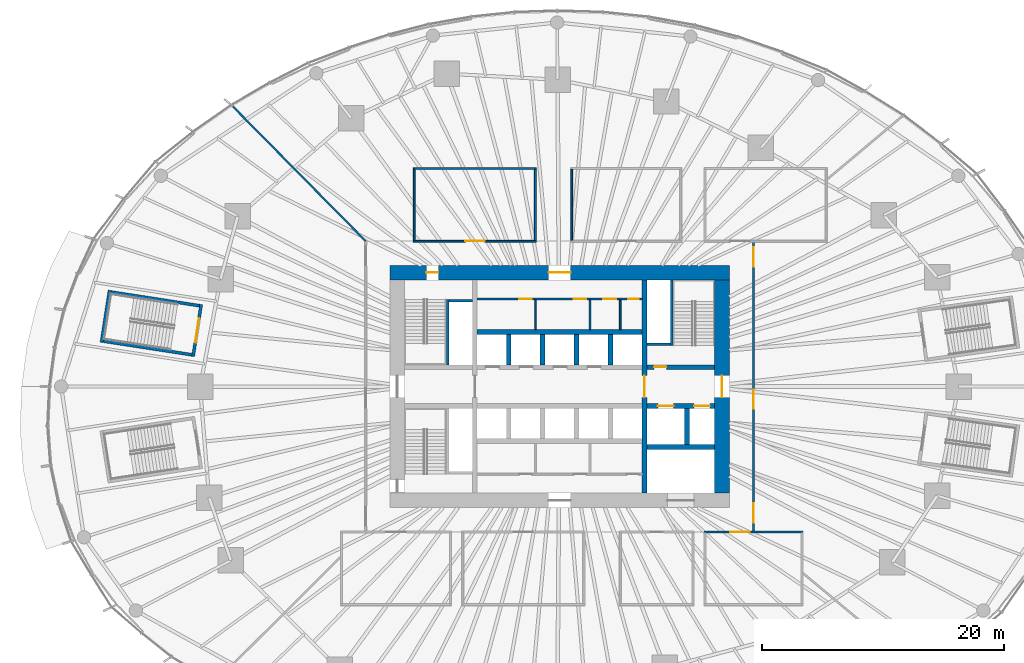
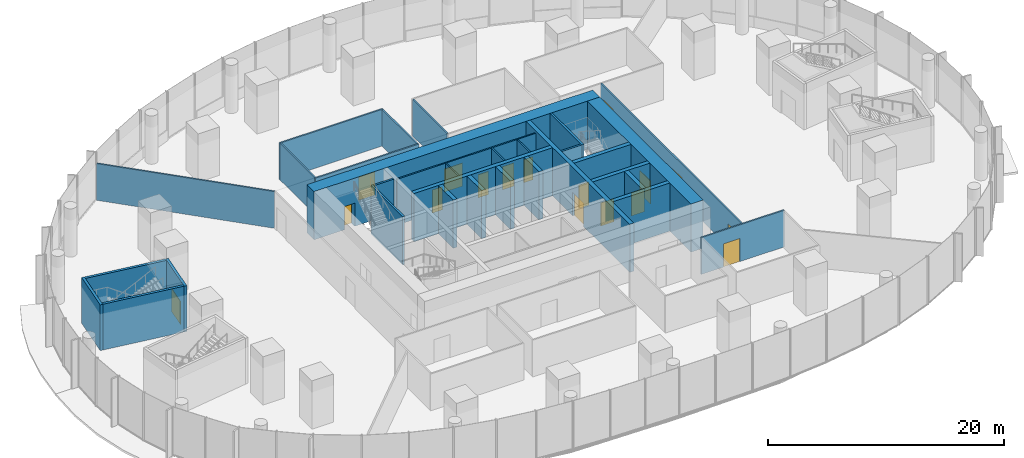
# One storey, part 13 of 28: 32 walls, 17 doors, 17 openings.
"""IFC4 building model written with IfcOpenShell, lengths in metres."""

import ifcopenshell
import ifcopenshell.guid

model = None  # the IFC model being written
_history = None  # IfcOwnerHistory: only IFC2X3 demands one
_inside = {}  # id of a spatial element -> (the spatial element, [elements in it])
_under = {}  # id of a project, library or spatial element -> (it, [spatial elements below it])
_declared = {}  # id of a project -> (the project, [libraries it declares])
_typed = {}  # id of a type object -> (the type object, [elements of that type])
_made_of = {}  # id of a material, layer set ... -> (it, [elements and type objects made of it])


def new_model(schema):
    """Start an empty IFC model of exactly this schema.

    Asked for "IFC4X3", IfcOpenShell would pick the latest addendum, in which some entities
    have other attributes; the version numbers below select the first issue.
    IFC2X3 requires an IfcOwnerHistory on every rooted entity: one is made here for all.
    """
    global model, _history
    if schema == "IFC4X3":
        model = ifcopenshell.file(schema_version=(4, 3, 0, 0))
    else:
        model = ifcopenshell.file(schema=schema)
    _inside.clear()
    _under.clear()
    _declared.clear()
    _typed.clear()
    _made_of.clear()
    _history = None
    if model.schema == "IFC2X3":
        org = make("IfcOrganization", Name="unknown")
        user = make(
            "IfcPersonAndOrganization",
            ThePerson=make("IfcPerson", FamilyName="unknown"),
            TheOrganization=org,
        )
        app = make(
            "IfcApplication",
            ApplicationDeveloper=org,
            Version="unknown",
            ApplicationFullName="unknown",
            ApplicationIdentifier="unknown",
        )
        _history = make(
            "IfcOwnerHistory",
            OwningUser=user,
            OwningApplication=app,
            ChangeAction="ADDED",
            CreationDate=0,
        )
    return model


def make(cls, **values):
    """One entity of the class cls with the attributes given. An attribute that is None is left unset."""
    return model.create_entity(
        cls, **{name: value for name, value in values.items() if value is not None}
    )


def rooted(cls, **values):
    """An entity with a GlobalId (a new one), such as an element, a storey or a relation."""
    return make(cls, GlobalId=ifcopenshell.guid.new(), OwnerHistory=_history, **values)


def si_unit(unit_type, name, prefix=None):
    """IfcSIUnit, for example si_unit("LENGTHUNIT", "METRE", prefix="MILLI")."""
    return make("IfcSIUnit", UnitType=unit_type, Prefix=prefix, Name=name)


def assignment(units):
    """IfcUnitAssignment: the units of a project."""
    return None if units is None else make("IfcUnitAssignment", Units=units)


def point(xyz):
    """IfcCartesianPoint."""
    return None if xyz is None else make("IfcCartesianPoint", Coordinates=xyz)


def direction(xyz):
    """IfcDirection."""
    return None if xyz is None else make("IfcDirection", DirectionRatios=xyz)


def frame(location, z_axis=None, x_axis=None):
    """IfcAxis2Placement3D, a coordinate frame: its origin and axes. An axis left out is left unset."""
    return make(
        "IfcAxis2Placement3D",
        Location=point(location),
        Axis=direction(z_axis),
        RefDirection=direction(x_axis),
    )


def frame_2d(location, x_axis=None):
    """IfcAxis2Placement2D, a coordinate frame in the plane: its origin and x axis."""
    return make(
        "IfcAxis2Placement2D", Location=point(location), RefDirection=direction(x_axis)
    )


def origin():
    """The frame at (0, 0, 0) with its axes left unset."""
    return frame((0.0, 0.0, 0.0))


def place(relative_to, where):
    """IfcLocalPlacement: puts the frame where relative to a parent placement (None: the world)."""
    return make(
        "IfcLocalPlacement", PlacementRelTo=relative_to, RelativePlacement=where
    )


def context(
    kind, dimensions, precision=None, world=None, true_north=None, identifier=None
):
    """IfcGeometricRepresentationContext, for example the 3D "Model" context."""
    return make(
        "IfcGeometricRepresentationContext",
        ContextIdentifier=identifier,
        ContextType=kind,
        CoordinateSpaceDimension=dimensions,
        Precision=precision,
        WorldCoordinateSystem=world,
        TrueNorth=true_north,
    )


def subcontext(parent, identifier, kind, view, scale=None):
    """IfcGeometricRepresentationSubContext, for example "Body" below "Model"."""
    return make(
        "IfcGeometricRepresentationSubContext",
        ContextIdentifier=identifier,
        ContextType=kind,
        ParentContext=parent,
        TargetScale=scale,
        TargetView=view,
    )


def project(units=None, contexts=None):
    """IfcProject with its units and contexts."""
    return rooted(
        "IfcProject",
        Name="project",
        RepresentationContexts=contexts,
        UnitsInContext=assignment(units),
    )


def spatial(cls, under=None, at=None, **own):
    """A site, building, storey or space (cls), placed at a placement, below another one or the project."""
    s = rooted(cls, ObjectPlacement=at, **own)
    if under is not None:
        _under.setdefault(under.id(), (under, []))[1].append(s)
    return s


def profile(cls, at=None, kind="AREA", **sizes):
    """A parametric profile (cls). Its sizes go by their IFC names, for example OverallWidth=200.0."""
    return make(cls, ProfileType=kind, Position=at, **sizes)


def rectangle(**sizes):
    """IfcRectangleProfileDef."""
    return profile("IfcRectangleProfileDef", **sizes)


def extrude(swept, where, along, depth):
    """IfcExtrudedAreaSolid: the profile swept, set in the frame where, extruded along a direction by depth."""
    return make(
        "IfcExtrudedAreaSolid",
        SweptArea=swept,
        Position=where,
        ExtrudedDirection=direction(along),
        Depth=depth,
    )


def shape(context_of_items, identifier, shape_type, items):
    """IfcShapeRepresentation: the items that make up one representation, for example the "Body"."""
    return make(
        "IfcShapeRepresentation",
        ContextOfItems=context_of_items,
        RepresentationIdentifier=identifier,
        RepresentationType=shape_type,
        Items=items,
    )


def material(Name=None, Category=None):
    """IfcMaterial."""
    return make("IfcMaterial", Name=Name, Category=Category)


def layer(
    of_material, thickness, ventilated=None, Name=None, Category=None, Priority=None
):
    """IfcMaterialLayer: one layer of a wall or slab, of a material (None: an air gap)."""
    return make(
        "IfcMaterialLayer",
        Material=of_material,
        LayerThickness=thickness,
        IsVentilated=ventilated,
        Name=Name,
        Category=Category,
        Priority=Priority,
    )


def layer_set(layers, Name=None):
    """IfcMaterialLayerSet."""
    return make("IfcMaterialLayerSet", MaterialLayers=layers, LayerSetName=Name)


def made_of(thing, what):
    """Note that an element or type object is made of a material, layer set ...; save() writes the relation."""
    if what is not None:
        _made_of.setdefault(what.id(), (what, []))[1].append(thing)
    return thing


def type_object(cls, material=None, **own):
    """A type object (cls), such as IfcWallType, which elements share."""
    return made_of(rooted(cls, **own), material)


def element(
    cls,
    number,
    at=None,
    inside=None,
    cuts=None,
    type_object=None,
    material=None,
    context=None,
    identifier="Body",
    shape_type=None,
    held_by="IfcProductDefinitionShape",
    body=None,
    shapes=None,
    **own,
):
    """One element of the class cls, such as IfcWall. Its Tag is "e" and its number.

    at: its placement. inside: the storey or other place that contains it. cuts: it is an
    opening in that element (IfcRelVoidsElement). A single representation is given by context,
    identifier, shape_type and body (its items); several are given by shapes. held_by: the class
    of the entity that holds the representations. save() writes the other relations.
    """
    e = rooted(cls, Tag="e%d" % number, ObjectPlacement=at, **own)
    if body is not None:
        shapes = [shape(context, identifier, shape_type, body)]
    if shapes is not None:
        e.Representation = make(held_by, Representations=shapes)
    if inside is not None:
        _inside.setdefault(inside.id(), (inside, []))[1].append(e)
    if cuts is not None:
        rooted(
            "IfcRelVoidsElement", RelatingBuildingElement=cuts, RelatedOpeningElement=e
        )
    if type_object is not None:
        _typed.setdefault(type_object.id(), (type_object, []))[1].append(e)
    return made_of(e, material)


def fill(opening, filler):
    """IfcRelFillsElement: the door or window that sits in an opening."""
    return rooted(
        "IfcRelFillsElement",
        RelatingOpeningElement=opening,
        RelatedBuildingElement=filler,
    )


def aggregate(whole, parts):
    """IfcRelAggregates: a whole, such as a stair, and the parts it consists of."""
    return rooted("IfcRelAggregates", RelatingObject=whole, RelatedObjects=parts)


def save(model, path):
    """Write the relations noted so far, then the file.

    IfcRelAggregates (storeys below a building ...), IfcRelContainedInSpatialStructure (elements
    in a storey), IfcRelDefinesByType, IfcRelAssociatesMaterial and IfcRelDeclares: one each for
    every whole, place, type object, material and project.
    """
    for whole, parts in _under.values():
        aggregate(whole, parts)
    for where, things in _inside.values():
        rooted(
            "IfcRelContainedInSpatialStructure",
            RelatedElements=things,
            RelatingStructure=where,
        )
    for kind, things in _typed.values():
        rooted("IfcRelDefinesByType", RelatedObjects=things, RelatingType=kind)
    for what, things in _made_of.values():
        rooted("IfcRelAssociatesMaterial", RelatedObjects=things, RelatingMaterial=what)
    for by, libraries in _declared.values():
        rooted("IfcRelDeclares", RelatingContext=by, RelatedDefinitions=libraries)
    model.write(path)


model = new_model("IFC4")

# Units and contexts
model_context = context("Model", 3, precision=1e-05, world=origin(), true_north=direction((0.0, 1.0)))
body_context = subcontext(model_context, "Body", "Model", "MODEL_VIEW")
ifc_project = project(units=[si_unit("LENGTHUNIT", "METRE"), si_unit("AREAUNIT", "SQUARE_METRE"), si_unit("VOLUMEUNIT", "CUBIC_METRE"), si_unit("PLANEANGLEUNIT", "RADIAN"), si_unit("MASSUNIT", "GRAM", prefix="KILO")], contexts=[model_context])

# Site, building, storey
site_placement = place(None, origin())
site = spatial("IfcSite", under=ifc_project, at=site_placement, CompositionType="ELEMENT")
building_placement = place(site_placement, origin())
building = spatial("IfcBuilding", under=site, at=building_placement, Name="Ghaith Harvest Tower", CompositionType="ELEMENT")
storey_placement = place(building_placement, frame((0.0, 0.0, 5.0)))
storey = spatial("IfcBuildingStorey", under=building, at=storey_placement, Name="L01", CompositionType="ELEMENT", Elevation=5.0)

# Wall, openings, doors
ifc_material_1 = material(Name="Concrete blockwork, fair-faced", Category="masonry")
ifc_layer_1 = layer(ifc_material_1, 0.139892578125)
ifc_layer_set_1 = layer_set([ifc_layer_1], Name="CORE PARTITION 140")
wall_type_1 = type_object("IfcWallType", Name="CORE PARTITION 140", PredefinedType="PARTITIONING", material=ifc_layer_set_1)
wall_1_placement = place(storey_placement, frame((-6.800048828125, 7.22998046875, 0.0), z_axis=(0.0, 0.0, 1.0), x_axis=(1.0, 0.0, 0.0)))
wall_1 = element("IfcWall", 1, at=wall_1_placement, inside=storey, type_object=wall_type_1, Name="Core partition L01", PredefinedType="PARTITIONING", context=body_context, shape_type="SweptSolid", body=[
    extrude(rectangle(XDim=13.60009765625, YDim=0.139892578125, at=frame_2d((6.800048828125, 0.0))), origin(), (0.0, 0.0, 1.0), 4.75),
])
opening_1_placement = place(wall_1_placement, frame((3.47998046875, 0.0, 0.0)))
opening_1 = element("IfcOpeningElement", 2, at=opening_1_placement, cuts=wall_1, Name="Opening 01-008", PredefinedType="OPENING", context=body_context, shape_type="SweptSolid", body=[
    extrude(rectangle(XDim=1.0, YDim=2.39990234375, at=frame_2d((0.5, 1.199951171875))), frame((0.0, 0.080078125, 0.0), z_axis=(0.0, -1.0, 0.0), x_axis=(1.0, 0.0, 0.0)), (0.0, 0.0, 1.0), 0.159912109375),
])
opening_2_placement = place(wall_1_placement, frame((7.97998046875, 0.0, 0.0)))
opening_2 = element("IfcOpeningElement", 3, at=opening_2_placement, cuts=wall_1, Name="Opening 01-009", PredefinedType="OPENING", context=body_context, shape_type="SweptSolid", body=[
    extrude(rectangle(XDim=1.0, YDim=2.39990234375, at=frame_2d((0.5, 1.199951171875))), frame((0.0, 0.080078125, 0.0), z_axis=(0.0, -1.0, 0.0), x_axis=(1.0, 0.0, 0.0)), (0.0, 0.0, 1.0), 0.159912109375),
])
opening_3_placement = place(wall_1_placement, frame((10.3798828125, 0.0, 0.0)))
opening_3 = element("IfcOpeningElement", 4, at=opening_3_placement, cuts=wall_1, Name="Opening 01-010", PredefinedType="OPENING", context=body_context, shape_type="SweptSolid", body=[
    extrude(rectangle(XDim=1.10009765625, YDim=2.39990234375, at=frame_2d((0.550048828125, 1.199951171875))), frame((0.0, 0.080078125, 0.0), z_axis=(0.0, -1.0, 0.0), x_axis=(1.0, 0.0, 0.0)), (0.0, 0.0, 1.0), 0.159912109375),
])
opening_4_placement = place(wall_1_placement, frame((12.449951171875, 0.0, 0.0)))
opening_4 = element("IfcOpeningElement", 5, at=opening_4_placement, cuts=wall_1, Name="Opening 01-011", PredefinedType="OPENING", context=body_context, shape_type="SweptSolid", body=[
    extrude(rectangle(XDim=0.89990234375, YDim=2.39990234375, at=frame_2d((0.449951171875, 1.199951171875))), frame((0.0, 0.080078125, 0.0), z_axis=(0.0, -1.0, 0.0), x_axis=(1.0, 0.0, 0.0)), (0.0, 0.0, 1.0), 0.159912109375),
])
ifc_material_2 = material(Name="Steel fire door", Category="steel")
door_type_1 = type_object("IfcDoorType", Name="D3 FD90 1000x2400", OperationType="SINGLE_SWING_LEFT", PredefinedType="DOOR", material=ifc_material_2)
door_1_placement = place(opening_1_placement, origin())
door_1 = element("IfcDoor", 6, at=door_1_placement, inside=storey, type_object=door_type_1, Name="Male WC door", OperationType="SINGLE_SWING_LEFT", OverallHeight=2.39990234375, OverallWidth=1.0, PredefinedType="DOOR", context=body_context, shape_type="SweptSolid", body=[
    extrude(rectangle(XDim=1.0, YDim=2.39990234375, at=frame_2d((0.5, 1.199951171875))), frame((0.0, 0.02490234375, 0.0), z_axis=(0.0, -1.0, 0.0), x_axis=(1.0, 0.0, 0.0)), (0.0, 0.0, 1.0), 0.050048828125),
])
fill(opening_1, door_1)
door_2_placement = place(opening_2_placement, origin())
door_2 = element("IfcDoor", 7, at=door_2_placement, inside=storey, type_object=door_type_1, Name="Female WC door", OperationType="SINGLE_SWING_RIGHT", OverallHeight=2.39990234375, OverallWidth=1.0, PredefinedType="DOOR", context=body_context, shape_type="SweptSolid", body=[
    extrude(rectangle(XDim=1.0, YDim=2.39990234375, at=frame_2d((0.5, 1.199951171875))), frame((0.0, 0.02490234375, 0.0), z_axis=(0.0, -1.0, 0.0), x_axis=(1.0, 0.0, 0.0)), (0.0, 0.0, 1.0), 0.050048828125),
])
fill(opening_2, door_2)
ifc_material_3 = material(Name="Steel fire door", Category="steel")
door_type_2 = type_object("IfcDoorType", Name="D5 FD90 900x2400", OperationType="SINGLE_SWING_LEFT", PredefinedType="DOOR", material=ifc_material_3)
door_3_placement = place(opening_4_placement, origin())
door_3 = element("IfcDoor", 8, at=door_3_placement, inside=storey, type_object=door_type_2, Name="Cleaner's store door", OperationType="SINGLE_SWING_RIGHT", OverallHeight=2.39990234375, OverallWidth=0.89990234375, PredefinedType="DOOR", context=body_context, shape_type="SweptSolid", body=[
    extrude(rectangle(XDim=0.89990234375, YDim=2.39990234375, at=frame_2d((0.449951171875, 1.199951171875))), frame((0.0, 0.02490234375, 0.0), z_axis=(0.0, -1.0, 0.0), x_axis=(1.0, 0.0, 0.0)), (0.0, 0.0, 1.0), 0.050048828125),
])
fill(opening_4, door_3)
ifc_material_4 = material(Name="Steel fire door", Category="steel")
door_type_3 = type_object("IfcDoorType", Name="D9 FD90 1100x2400", OperationType="SINGLE_SWING_LEFT", PredefinedType="DOOR", material=ifc_material_4)
door_4_placement = place(opening_3_placement, origin())
door_4 = element("IfcDoor", 9, at=door_4_placement, inside=storey, type_object=door_type_3, Name="Accessible WC door", OperationType="SINGLE_SWING_RIGHT", OverallHeight=2.39990234375, OverallWidth=1.10009765625, PredefinedType="DOOR", context=body_context, shape_type="SweptSolid", body=[
    extrude(rectangle(XDim=1.10009765625, YDim=2.39990234375, at=frame_2d((0.550048828125, 1.199951171875))), frame((0.0, 0.02490234375, 0.0), z_axis=(0.0, -1.0, 0.0), x_axis=(1.0, 0.0, 0.0)), (0.0, 0.0, 1.0), 0.050048828125),
])
fill(opening_3, door_4)

# Walls
for number, where, z_axis, x_axis, name in (
    (10, (-2.0, 4.699951171875, 0.0), (0.0, 0.0, 1.0), (0.0, 1.0, 0.0), "Core partition L01"),
    (11, (2.5, 4.699951171875, 0.0), (0.0, 0.0, 1.0), (0.0, 1.0, 0.0), "Core partition L01"),
    (12, (5.0, 4.699951171875, 0.0), (0.0, 0.0, 1.0), (0.0, 1.0, 0.0), "Core partition L01"),
):
    element("IfcWall", number, at=place(storey_placement, frame(where, z_axis=z_axis, x_axis=x_axis)), inside=storey, type_object=wall_type_1, Name=name, PredefinedType="PARTITIONING", context=body_context, shape_type="SweptSolid", body=[
        extrude(rectangle(XDim=2.4599609375, YDim=0.139892578125, at=frame_2d((1.22998046875, 0.0))), origin(), (0.0, 0.0, 1.0), 4.75),
    ])

# Wall, openings, doors
ifc_material_5 = material(Name="Concrete C70/85", Category="concrete")
ifc_layer_2 = layer(ifc_material_5, 1.199951171875)
ifc_layer_set_2 = layer_set([ifc_layer_2], Name="CORE WALL CW1200")
wall_type_2 = type_object("IfcWallType", Name="CORE WALL CW1200", PredefinedType="SHEAR", material=ifc_layer_set_2)
wall_2_placement = place(storey_placement, frame((14.0, 9.39990234375, 0.0), z_axis=(0.0, 0.0, 1.0), x_axis=(-1.0, 0.0, 0.0)))
wall_2 = element("IfcWall", 13, at=wall_2_placement, inside=storey, type_object=wall_type_2, Name="Core wall N L01", PredefinedType="SHEAR", context=body_context, shape_type="SweptSolid", body=[
    extrude(rectangle(XDim=28.0, YDim=1.199951171875, at=frame_2d((14.0, 0.0))), origin(), (0.0, 0.0, 1.0), 5.0),
])
opening_5_placement = place(wall_2_placement, frame((24.0, 0.0, 0.0)))
opening_5 = element("IfcOpeningElement", 14, at=opening_5_placement, cuts=wall_2, Name="Opening 01-005", PredefinedType="OPENING", context=body_context, shape_type="SweptSolid", body=[
    extrude(rectangle(XDim=1.0, YDim=2.39990234375, at=frame_2d((0.5, 1.199951171875))), frame((0.0, 0.60986328125, 0.0), z_axis=(0.0, -1.0, 0.0), x_axis=(1.0, 0.0, 0.0)), (0.0, 0.0, 1.0), 1.219970703125),
])
opening_6_placement = place(wall_2_placement, frame((13.10009765625, 0.0, 0.0)))
opening_6 = element("IfcOpeningElement", 15, at=opening_6_placement, cuts=wall_2, Name="Opening 01-015", PredefinedType="OPENING", context=body_context, shape_type="SweptSolid", body=[
    extrude(rectangle(XDim=1.800048828125, YDim=2.39990234375, at=frame_2d((0.89990234375, 1.199951171875))), frame((0.0, 0.60986328125, 0.0), z_axis=(0.0, -1.0, 0.0), x_axis=(1.0, 0.0, 0.0)), (0.0, 0.0, 1.0), 1.219970703125),
])
door_5_placement = place(opening_5_placement, origin())
door_5 = element("IfcDoor", 16, at=door_5_placement, inside=storey, type_object=door_type_1, Name="Stair ST1 door", OperationType="SINGLE_SWING_RIGHT", OverallHeight=2.39990234375, OverallWidth=1.0, PredefinedType="DOOR", context=body_context, shape_type="SweptSolid", body=[
    extrude(rectangle(XDim=1.0, YDim=2.39990234375, at=frame_2d((0.5, 1.199951171875))), frame((0.0, 0.02490234375, 0.0), z_axis=(0.0, -1.0, 0.0), x_axis=(1.0, 0.0, 0.0)), (0.0, 0.0, 1.0), 0.050048828125),
])
fill(opening_5, door_5)
ifc_material_6 = material(Name="Steel fire door", Category="steel")
door_type_4 = type_object("IfcDoorType", Name="D4 FD90 PAIR 1800x2400", OperationType="DOUBLE_DOOR_SINGLE_SWING", PredefinedType="DOOR", material=ifc_material_6)
door_6_placement = place(opening_6_placement, origin())
door_6 = element("IfcDoor", 17, at=door_6_placement, inside=storey, type_object=door_type_4, Name="Core service corridor doors", OperationType="DOUBLE_DOOR_SINGLE_SWING", OverallHeight=2.39990234375, OverallWidth=1.800048828125, PredefinedType="DOOR", context=body_context, shape_type="SweptSolid", body=[
    extrude(rectangle(XDim=1.800048828125, YDim=2.39990234375, at=frame_2d((0.89990234375, 1.199951171875))), frame((0.0, 0.02490234375, 0.0), z_axis=(0.0, -1.0, 0.0), x_axis=(1.0, 0.0, 0.0)), (0.0, 0.0, 1.0), 0.050048828125),
])
fill(opening_6, door_6)

# Wall, opening, door
wall_3_placement = place(storey_placement, frame((13.39990234375, -8.800048828125, 0.0), z_axis=(0.0, 0.0, 1.0), x_axis=(0.0, 1.0, 0.0)))
wall_3 = element("IfcWall", 18, at=wall_3_placement, inside=storey, type_object=wall_type_2, Name="Core wall E L01", PredefinedType="SHEAR", context=body_context, shape_type="SweptSolid", body=[
    extrude(rectangle(XDim=17.60009765625, YDim=1.199951171875, at=frame_2d((8.800048828125, 0.0))), origin(), (0.0, 0.0, 1.0), 5.0),
])
opening_7_placement = place(wall_3_placement, frame((7.89990234375, 0.0, 0.0)))
opening_7 = element("IfcOpeningElement", 19, at=opening_7_placement, cuts=wall_3, Name="Opening 01-002", PredefinedType="OPENING", context=body_context, shape_type="SweptSolid", body=[
    extrude(rectangle(XDim=1.800048828125, YDim=2.39990234375, at=frame_2d((0.89990234375, 1.199951171875))), frame((0.0, 0.60986328125, 0.0), z_axis=(0.0, -1.0, 0.0), x_axis=(1.0, 0.0, 0.0)), (0.0, 0.0, 1.0), 1.219970703125),
])
door_7_placement = place(opening_7_placement, origin())
door_7 = element("IfcDoor", 20, at=door_7_placement, inside=storey, type_object=door_type_4, Name="Fire-fighting lobby doors", OperationType="DOUBLE_DOOR_SINGLE_SWING", OverallHeight=2.39990234375, OverallWidth=1.800048828125, PredefinedType="DOOR", context=body_context, shape_type="SweptSolid", body=[
    extrude(rectangle(XDim=1.800048828125, YDim=2.39990234375, at=frame_2d((0.89990234375, 1.199951171875))), frame((0.0, 0.02490234375, 0.0), z_axis=(0.0, -1.0, 0.0), x_axis=(1.0, 0.0, 0.0)), (0.0, 0.0, 1.0), 0.050048828125),
])
fill(opening_7, door_7)

# Wall
ifc_material_7 = material(Name="Gypsum board on steel studs", Category="steel")
ifc_layer_3 = layer(ifc_material_7, 0.14990234375)
ifc_layer_set_3 = layer_set([ifc_layer_3], Name="PARTITION 150")
wall_type_3 = type_object("IfcWallType", Name="PARTITION 150", PredefinedType="PARTITIONING", material=ifc_layer_set_3)
wall_4_placement = place(storey_placement, frame((-16.013916015625, 12.01416015625, 0.0), z_axis=(0.0, 0.0, 1.0), x_axis=(-0.702408551969, 0.711773999329, 0.0)))
element("IfcWall", 21, at=wall_4_placement, inside=storey, type_object=wall_type_3, Name="Partition L01 zone division", PredefinedType="PARTITIONING", context=body_context, shape_type="SweptSolid", body=[
    extrude(rectangle(XDim=15.640869140625, YDim=0.14990234375, at=frame_2d((7.8203125, 0.0))), origin(), (0.0, 0.0, 1.0), 3.800048828125),
])

# Wall, openings, doors
wall_5_placement = place(storey_placement, frame((16.0, -12.0, 0.0), z_axis=(0.0, 0.0, 1.0), x_axis=(0.0, 1.0, 0.0)))
wall_5 = element("IfcWall", 22, at=wall_5_placement, inside=storey, type_object=wall_type_3, Name="Partition L01 zone enclosure", PredefinedType="PARTITIONING", context=body_context, shape_type="SweptSolid", body=[
    extrude(rectangle(XDim=24.0, YDim=0.14990234375, at=frame_2d((12.0, 0.0))), origin(), (0.0, 0.0, 1.0), 3.800048828125),
])
opening_8_placement = place(wall_5_placement, frame((10.14990234375, 0.0, 0.0)))
opening_8 = element("IfcOpeningElement", 23, at=opening_8_placement, cuts=wall_5, Name="Opening 01-035", PredefinedType="OPENING", context=body_context, shape_type="SweptSolid", body=[
    extrude(rectangle(XDim=1.60009765625, YDim=2.39990234375, at=frame_2d((0.800048828125, 1.199951171875))), frame((0.0, 0.0849609375, 0.0), z_axis=(0.0, -1.0, 0.0), x_axis=(1.0, 0.0, 0.0)), (0.0, 0.0, 1.0), 0.169921875),
])
opening_9_placement = place(wall_5_placement, frame((21.89990234375, 0.0, 0.0)))
opening_9 = element("IfcOpeningElement", 24, at=opening_9_placement, cuts=wall_5, Name="Opening 01-036", PredefinedType="OPENING", context=body_context, shape_type="SweptSolid", body=[
    extrude(rectangle(XDim=1.60009765625, YDim=2.39990234375, at=frame_2d((0.800048828125, 1.199951171875))), frame((0.0, 0.0849609375, 0.0), z_axis=(0.0, -1.0, 0.0), x_axis=(1.0, 0.0, 0.0)), (0.0, 0.0, 1.0), 0.169921875),
])
opening_10_placement = place(wall_5_placement, frame((0.75, 0.0, 0.0)))
opening_10 = element("IfcOpeningElement", 25, at=opening_10_placement, cuts=wall_5, Name="Opening 01-037", PredefinedType="OPENING", context=body_context, shape_type="SweptSolid", body=[
    extrude(rectangle(XDim=1.60009765625, YDim=2.39990234375, at=frame_2d((0.800048828125, 1.199951171875))), frame((0.0, 0.0849609375, 0.0), z_axis=(0.0, -1.0, 0.0), x_axis=(1.0, 0.0, 0.0)), (0.0, 0.0, 1.0), 0.169921875),
])
ifc_material_8 = material(Name="Timber door", Category="wood")
door_type_5 = type_object("IfcDoorType", Name="D2 PAIR 1600x2400", OperationType="DOUBLE_DOOR_SINGLE_SWING", PredefinedType="DOOR", material=ifc_material_8)
door_8_placement = place(opening_8_placement, origin())
door_8 = element("IfcDoor", 26, at=door_8_placement, inside=storey, type_object=door_type_5, Name="Cafe east door", OperationType="DOUBLE_DOOR_SINGLE_SWING", OverallHeight=2.39990234375, OverallWidth=1.60009765625, PredefinedType="DOOR", context=body_context, shape_type="SweptSolid", body=[
    extrude(rectangle(XDim=1.60009765625, YDim=2.39990234375, at=frame_2d((0.800048828125, 1.199951171875))), frame((0.0, 0.02490234375, 0.0), z_axis=(0.0, -1.0, 0.0), x_axis=(1.0, 0.0, 0.0)), (0.0, 0.0, 1.0), 0.050048828125),
])
fill(opening_8, door_8)
door_9_placement = place(opening_9_placement, origin())
door_9 = element("IfcDoor", 27, at=door_9_placement, inside=storey, type_object=door_type_5, Name="Cafe east door", OperationType="DOUBLE_DOOR_SINGLE_SWING", OverallHeight=2.39990234375, OverallWidth=1.60009765625, PredefinedType="DOOR", context=body_context, shape_type="SweptSolid", body=[
    extrude(rectangle(XDim=1.60009765625, YDim=2.39990234375, at=frame_2d((0.800048828125, 1.199951171875))), frame((0.0, 0.02490234375, 0.0), z_axis=(0.0, -1.0, 0.0), x_axis=(1.0, 0.0, 0.0)), (0.0, 0.0, 1.0), 0.050048828125),
])
fill(opening_9, door_9)
door_10_placement = place(opening_10_placement, origin())
door_10 = element("IfcDoor", 28, at=door_10_placement, inside=storey, type_object=door_type_5, Name="Cafe east door", OperationType="DOUBLE_DOOR_SINGLE_SWING", OverallHeight=2.39990234375, OverallWidth=1.60009765625, PredefinedType="DOOR", context=body_context, shape_type="SweptSolid", body=[
    extrude(rectangle(XDim=1.60009765625, YDim=2.39990234375, at=frame_2d((0.800048828125, 1.199951171875))), frame((0.0, 0.02490234375, 0.0), z_axis=(0.0, -1.0, 0.0), x_axis=(1.0, 0.0, 0.0)), (0.0, 0.0, 1.0), 0.050048828125),
])
fill(opening_10, door_10)

# Wall, opening, door
wall_6_placement = place(storey_placement, frame((-12.074951171875, 12.0, 0.0), z_axis=(0.0, 0.0, 1.0), x_axis=(1.0, 0.0, 0.0)))
wall_6 = element("IfcWall", 29, at=wall_6_placement, inside=storey, type_object=wall_type_3, Name="Partition L01-01", PredefinedType="PARTITIONING", context=body_context, shape_type="SweptSolid", body=[
    extrude(rectangle(XDim=10.14990234375, YDim=0.14990234375, at=frame_2d((5.074951171875, 0.0))), origin(), (0.0, 0.0, 1.0), 3.800048828125),
])
opening_11_placement = place(wall_6_placement, frame((4.27490234375, 0.0, 0.0)))
opening_11 = element("IfcOpeningElement", 30, at=opening_11_placement, cuts=wall_6, Name="Opening 01-028", PredefinedType="OPENING", context=body_context, shape_type="SweptSolid", body=[
    extrude(rectangle(XDim=1.60009765625, YDim=2.39990234375, at=frame_2d((0.800048828125, 1.199951171875))), frame((0.0, 0.0849609375, 0.0), z_axis=(0.0, -1.0, 0.0), x_axis=(1.0, 0.0, 0.0)), (0.0, 0.0, 1.0), 0.169921875),
])
door_11_placement = place(opening_11_placement, origin())
door_11 = element("IfcDoor", 31, at=door_11_placement, inside=storey, type_object=door_type_5, Name="Hot kitchen door", OperationType="DOUBLE_DOOR_SINGLE_SWING", OverallHeight=2.39990234375, OverallWidth=1.60009765625, PredefinedType="DOOR", context=body_context, shape_type="SweptSolid", body=[
    extrude(rectangle(XDim=1.60009765625, YDim=2.39990234375, at=frame_2d((0.800048828125, 1.199951171875))), frame((0.0, 0.02490234375, 0.0), z_axis=(0.0, -1.0, 0.0), x_axis=(1.0, 0.0, 0.0)), (0.0, 0.0, 1.0), 0.050048828125),
])
fill(opening_11, door_11)

# Walls
wall_7_placement = place(storey_placement, frame((-12.074951171875, 18.0, 0.0), z_axis=(0.0, 0.0, 1.0), x_axis=(1.0, 0.0, 0.0)))
element("IfcWall", 32, at=wall_7_placement, inside=storey, type_object=wall_type_3, Name="Partition L01-01", PredefinedType="PARTITIONING", context=body_context, shape_type="SweptSolid", body=[
    extrude(rectangle(XDim=10.14990234375, YDim=0.14990234375, at=frame_2d((5.074951171875, 0.0))), origin(), (0.0, 0.0, 1.0), 3.800048828125),
])
for number, where, z_axis, x_axis, name in (
    (33, (-12.0, 12.074951171875, 0.0), (0.0, 0.0, 1.0), (0.0, 1.0, 0.0), "Partition L01-01"),
    (34, (-2.0, 12.074951171875, 0.0), (0.0, 0.0, 1.0), (0.0, 1.0, 0.0), "Partition L01-01"),
    (35, (1.0, 12.074951171875, 0.0), (0.0, 0.0, 1.0), (0.0, 1.0, 0.0), "Partition L01-02"),
):
    element("IfcWall", number, at=place(storey_placement, frame(where, z_axis=z_axis, x_axis=x_axis)), inside=storey, type_object=wall_type_3, Name=name, PredefinedType="PARTITIONING", context=body_context, shape_type="SweptSolid", body=[
        extrude(rectangle(XDim=5.85009765625, YDim=0.14990234375, at=frame_2d((2.925048828125, 0.0))), origin(), (0.0, 0.0, 1.0), 3.800048828125),
    ])

# Wall, opening, door
wall_8_placement = place(storey_placement, frame((11.925048828125, -12.0, 0.0), z_axis=(0.0, 0.0, 1.0), x_axis=(1.0, 0.0, 0.0)))
wall_8 = element("IfcWall", 36, at=wall_8_placement, inside=storey, type_object=wall_type_3, Name="Partition L01-07", PredefinedType="PARTITIONING", context=body_context, shape_type="SweptSolid", body=[
    extrude(rectangle(XDim=8.14990234375, YDim=0.14990234375, at=frame_2d((4.074951171875, 0.0))), origin(), (0.0, 0.0, 1.0), 3.800048828125),
])
opening_12_placement = place(wall_8_placement, frame((2.175048828125, 0.0, 0.0)))
opening_12 = element("IfcOpeningElement", 37, at=opening_12_placement, cuts=wall_8, Name="Opening 01-034", PredefinedType="OPENING", context=body_context, shape_type="SweptSolid", body=[
    extrude(rectangle(XDim=1.60009765625, YDim=2.39990234375, at=frame_2d((0.800048828125, 1.199951171875))), frame((0.0, 0.0849609375, 0.0), z_axis=(0.0, -1.0, 0.0), x_axis=(1.0, 0.0, 0.0)), (0.0, 0.0, 1.0), 0.169921875),
])
door_12_placement = place(opening_12_placement, origin())
door_12 = element("IfcDoor", 38, at=door_12_placement, inside=storey, type_object=door_type_5, Name="Vendor kitchen door", OperationType="DOUBLE_DOOR_SINGLE_SWING", OverallHeight=2.39990234375, OverallWidth=1.60009765625, PredefinedType="DOOR", context=body_context, shape_type="SweptSolid", body=[
    extrude(rectangle(XDim=1.60009765625, YDim=2.39990234375, at=frame_2d((0.800048828125, 1.199951171875))), frame((0.0, 0.02490234375, 0.0), z_axis=(0.0, -1.0, 0.0), x_axis=(1.0, 0.0, 0.0)), (0.0, 0.0, 1.0), 0.050048828125),
])
fill(opening_12, door_12)

ifc_material_9 = material(Name="Concrete C70/85", Category="concrete")
ifc_layer_4 = layer(ifc_material_9, 0.39990234375)
ifc_layer_set_4 = layer_set([ifc_layer_4], Name="SHAFT WALL 400")
wall_type_4 = type_object("IfcWallType", Name="SHAFT WALL 400", PredefinedType="SHEAR", material=ifc_layer_set_4)
wall_9_placement = place(storey_placement, frame((7.0, -8.800048828125, 0.0), z_axis=(0.0, 0.0, 1.0), x_axis=(0.0, 1.0, 0.0)))
wall_9 = element("IfcWall", 39, at=wall_9_placement, inside=storey, type_object=wall_type_4, Name="Shaft wall W7E L01", PredefinedType="SHEAR", context=body_context, shape_type="SweptSolid", body=[
    extrude(rectangle(XDim=17.60009765625, YDim=0.39990234375, at=frame_2d((8.800048828125, 0.0))), origin(), (0.0, 0.0, 1.0), 5.0),
])
opening_13_placement = place(wall_9_placement, frame((7.89990234375, 0.0, 0.0)))
opening_13 = element("IfcOpeningElement", 40, at=opening_13_placement, cuts=wall_9, Name="Opening 01-004", PredefinedType="OPENING", context=body_context, shape_type="SweptSolid", body=[
    extrude(rectangle(XDim=1.800048828125, YDim=2.39990234375, at=frame_2d((0.89990234375, 1.199951171875))), frame((0.0, 0.2099609375, 0.0), z_axis=(0.0, -1.0, 0.0), x_axis=(1.0, 0.0, 0.0)), (0.0, 0.0, 1.0), 0.419921875),
])
door_13_placement = place(opening_13_placement, origin())
door_13 = element("IfcDoor", 41, at=door_13_placement, inside=storey, type_object=door_type_4, Name="Lift lobby doors, east", OperationType="DOUBLE_DOOR_SINGLE_SWING", OverallHeight=2.39990234375, OverallWidth=1.800048828125, PredefinedType="DOOR", context=body_context, shape_type="SweptSolid", body=[
    extrude(rectangle(XDim=1.800048828125, YDim=2.39990234375, at=frame_2d((0.89990234375, 1.199951171875))), frame((0.0, 0.02490234375, 0.0), z_axis=(0.0, -1.0, 0.0), x_axis=(1.0, 0.0, 0.0)), (0.0, 0.0, 1.0), 0.050048828125),
])
fill(opening_13, door_13)

# Wall
wall_10_placement = place(storey_placement, frame((-6.800048828125, 4.5, 0.0), z_axis=(0.0, 0.0, 1.0), x_axis=(1.0, 0.0, 0.0)))
element("IfcWall", 42, at=wall_10_placement, inside=storey, type_object=wall_type_4, Name="Shaft wall BN L01", PredefinedType="SHEAR", context=body_context, shape_type="SweptSolid", body=[
    extrude(rectangle(XDim=13.60009765625, YDim=0.39990234375, at=frame_2d((6.800048828125, 0.0))), origin(), (0.0, 0.0, 1.0), 5.0),
])

# Wall, opening, door
wall_11_placement = place(storey_placement, frame((7.199951171875, 1.60009765625, 0.0), z_axis=(0.0, 0.0, 1.0), x_axis=(1.0, 0.0, 0.0)))
wall_11 = element("IfcWall", 43, at=wall_11_placement, inside=storey, type_object=wall_type_4, Name="Shaft wall EN L01", PredefinedType="SHEAR", context=body_context, shape_type="SweptSolid", body=[
    extrude(rectangle(XDim=5.60009765625, YDim=0.39990234375, at=frame_2d((2.800048828125, 0.0))), origin(), (0.0, 0.0, 1.0), 5.0),
])
opening_14_placement = place(wall_11_placement, frame((0.60009765625, 0.0, 0.0)))
opening_14 = element("IfcOpeningElement", 44, at=opening_14_placement, cuts=wall_11, Name="Opening 01-007", PredefinedType="OPENING", context=body_context, shape_type="SweptSolid", body=[
    extrude(rectangle(XDim=1.0, YDim=2.39990234375, at=frame_2d((0.5, 1.199951171875))), frame((0.0, 0.2099609375, 0.0), z_axis=(0.0, -1.0, 0.0), x_axis=(1.0, 0.0, 0.0)), (0.0, 0.0, 1.0), 0.419921875),
])
door_14_placement = place(opening_14_placement, origin())
door_14 = element("IfcDoor", 45, at=door_14_placement, inside=storey, type_object=door_type_1, Name="Stair ST2 door", OperationType="SINGLE_SWING_LEFT", OverallHeight=2.39990234375, OverallWidth=1.0, PredefinedType="DOOR", context=body_context, shape_type="SweptSolid", body=[
    extrude(rectangle(XDim=1.0, YDim=2.39990234375, at=frame_2d((0.5, 1.199951171875))), frame((0.0, 0.02490234375, 0.0), z_axis=(0.0, -1.0, 0.0), x_axis=(1.0, 0.0, 0.0)), (0.0, 0.0, 1.0), 0.050048828125),
])
fill(opening_14, door_14)

# Wall, openings, doors
wall_12_placement = place(storey_placement, frame((7.199951171875, -1.60009765625, 0.0), z_axis=(0.0, 0.0, 1.0), x_axis=(1.0, 0.0, 0.0)))
wall_12 = element("IfcWall", 46, at=wall_12_placement, inside=storey, type_object=wall_type_4, Name="Shaft wall ES L01", PredefinedType="SHEAR", context=body_context, shape_type="SweptSolid", body=[
    extrude(rectangle(XDim=5.60009765625, YDim=0.39990234375, at=frame_2d((2.800048828125, 0.0))), origin(), (0.0, 0.0, 1.0), 5.0),
])
opening_15_placement = place(wall_12_placement, frame((0.89990234375, 0.0, 0.0)))
opening_15 = element("IfcOpeningElement", 47, at=opening_15_placement, cuts=wall_12, Name="Opening 01-021", PredefinedType="OPENING", context=body_context, shape_type="SweptSolid", body=[
    extrude(rectangle(XDim=1.300048828125, YDim=2.39990234375, at=frame_2d((0.64990234375, 1.199951171875))), frame((0.0, 0.2099609375, 0.0), z_axis=(0.0, -1.0, 0.0), x_axis=(1.0, 0.0, 0.0)), (0.0, 0.0, 1.0), 0.419921875),
])
opening_16_placement = place(wall_12_placement, frame((3.89990234375, 0.0, 0.0)))
opening_16 = element("IfcOpeningElement", 48, at=opening_16_placement, cuts=wall_12, Name="Opening 01-022", PredefinedType="OPENING", context=body_context, shape_type="SweptSolid", body=[
    extrude(rectangle(XDim=1.300048828125, YDim=2.39990234375, at=frame_2d((0.64990234375, 1.199951171875))), frame((0.0, 0.2099609375, 0.0), z_axis=(0.0, -1.0, 0.0), x_axis=(1.0, 0.0, 0.0)), (0.0, 0.0, 1.0), 0.419921875),
])
ifc_material_10 = material(Name="Steel fire door", Category="steel")
door_type_6 = type_object("IfcDoorType", Name="LD2 LANDING 1300x2400", OperationType="DOUBLE_DOOR_SLIDING", PredefinedType="DOOR", material=ifc_material_10)
door_15_placement = place(opening_15_placement, origin())
door_15 = element("IfcDoor", 49, at=door_15_placement, inside=storey, type_object=door_type_6, Name="Landing door, fire service lift FL1", OperationType="DOUBLE_DOOR_SLIDING", OverallHeight=2.39990234375, OverallWidth=1.300048828125, PredefinedType="DOOR", context=body_context, shape_type="SweptSolid", body=[
    extrude(rectangle(XDim=1.300048828125, YDim=2.39990234375, at=frame_2d((0.64990234375, 1.199951171875))), frame((0.0, 0.02490234375, 0.0), z_axis=(0.0, -1.0, 0.0), x_axis=(1.0, 0.0, 0.0)), (0.0, 0.0, 1.0), 0.050048828125),
])
fill(opening_15, door_15)
door_16_placement = place(opening_16_placement, origin())
door_16 = element("IfcDoor", 50, at=door_16_placement, inside=storey, type_object=door_type_6, Name="Landing door, fire service lift FL2", OperationType="DOUBLE_DOOR_SLIDING", OverallHeight=2.39990234375, OverallWidth=1.300048828125, PredefinedType="DOOR", context=body_context, shape_type="SweptSolid", body=[
    extrude(rectangle(XDim=1.300048828125, YDim=2.39990234375, at=frame_2d((0.64990234375, 1.199951171875))), frame((0.0, 0.02490234375, 0.0), z_axis=(0.0, -1.0, 0.0), x_axis=(1.0, 0.0, 0.0)), (0.0, 0.0, 1.0), 0.050048828125),
])
fill(opening_16, door_16)

# Walls
wall_13_placement = place(storey_placement, frame((10.5, -4.800048828125, 0.0), z_axis=(0.0, 0.0, 1.0), x_axis=(0.0, 1.0, 0.0)))
element("IfcWall", 51, at=wall_13_placement, inside=storey, type_object=wall_type_4, Name="Shaft wall FLD L01", PredefinedType="SHEAR", context=body_context, shape_type="SweptSolid", body=[
    extrude(rectangle(XDim=3.0, YDim=0.39990234375, at=frame_2d((1.5, 0.0))), origin(), (0.0, 0.0, 1.0), 5.0),
])
wall_14_placement = place(storey_placement, frame((7.199951171875, -5.0, 0.0), z_axis=(0.0, 0.0, 1.0), x_axis=(1.0, 0.0, 0.0)))
element("IfcWall", 52, at=wall_14_placement, inside=storey, type_object=wall_type_4, Name="Shaft wall FLB L01", PredefinedType="SHEAR", context=body_context, shape_type="SweptSolid", body=[
    extrude(rectangle(XDim=5.60009765625, YDim=0.39990234375, at=frame_2d((2.800048828125, 0.0))), origin(), (0.0, 0.0, 1.0), 5.0),
])
for number, where, z_axis, x_axis, name in (
    (53, (-4.199951171875, 1.800048828125, 0.0), (0.0, 0.0, 1.0), (0.0, 1.0, 0.0), "Shaft wall DN1 L01"),
    (54, (-1.39990234375, 1.800048828125, 0.0), (0.0, 0.0, 1.0), (0.0, 1.0, 0.0), "Shaft wall DN2 L01"),
    (55, (1.39990234375, 1.800048828125, 0.0), (0.0, 0.0, 1.0), (0.0, 1.0, 0.0), "Shaft wall DN3 L01"),
    (56, (4.199951171875, 1.800048828125, 0.0), (0.0, 0.0, 1.0), (0.0, 1.0, 0.0), "Shaft wall DN4 L01"),
):
    element("IfcWall", number, at=place(storey_placement, frame(where, z_axis=z_axis, x_axis=x_axis)), inside=storey, type_object=wall_type_4, Name=name, PredefinedType="SHEAR", context=body_context, shape_type="SweptSolid", body=[
        extrude(rectangle(XDim=2.5, YDim=0.39990234375, at=frame_2d((1.25, 0.0))), origin(), (0.0, 0.0, 1.0), 5.0),
    ])

# Wall, opening, door
ifc_material_11 = material(Name="Concrete C40/50", Category="concrete")
ifc_layer_5 = layer(ifc_material_11, 0.25)
ifc_layer_set_5 = layer_set([ifc_layer_5], Name="STAIR ENCLOSURE WALL RC250")
wall_type_5 = type_object("IfcWallType", Name="STAIR ENCLOSURE WALL RC250", PredefinedType="SOLIDWALL", material=ifc_layer_set_5)
wall_15_placement = place(storey_placement, frame((-29.5869140625, 6.777099609375, 0.0), z_axis=(0.0, 0.0, 1.0), x_axis=(-0.152820464277, -0.988253968218, 0.0)))
wall_15 = element("IfcWall", 57, at=wall_15_placement, inside=storey, type_object=wall_type_5, Name="Stair PS2 enclosure wall L01", PredefinedType="SOLIDWALL", context=body_context, shape_type="SweptSolid", body=[
    extrude(rectangle(XDim=4.35009765625, YDim=0.25, at=frame_2d((2.175048828125, 0.0))), origin(), (0.0, 0.0, 1.0), 4.75),
])
opening_17_placement = place(wall_15_placement, frame((1.175048828125, 0.0, 0.0)))
opening_17 = element("IfcOpeningElement", 58, at=opening_17_placement, cuts=wall_15, Name="Opening 01-025", PredefinedType="OPENING", context=body_context, shape_type="SweptSolid", body=[
    extrude(rectangle(XDim=2.0, YDim=2.39990234375, at=frame_2d((1.0, 1.199951171875))), frame((0.0, 0.135009765625, 0.0), z_axis=(0.0, -1.0, 0.0), x_axis=(1.0, 0.0, 0.0)), (0.0, 0.0, 1.0), 0.27001953125),
])
ifc_material_12 = material(Name="Steel fire door", Category="steel")
door_type_7 = type_object("IfcDoorType", Name="D8 FD90 PAIR 2000x2400", OperationType="DOUBLE_DOOR_SINGLE_SWING", PredefinedType="DOOR", material=ifc_material_12)
door_17_placement = place(opening_17_placement, origin())
door_17 = element("IfcDoor", 59, at=door_17_placement, inside=storey, type_object=door_type_7, Name="Stair PS2 doors", OperationType="DOUBLE_DOOR_SINGLE_SWING", OverallHeight=2.39990234375, OverallWidth=2.0, PredefinedType="DOOR", context=body_context, shape_type="SweptSolid", body=[
    extrude(rectangle(XDim=2.0, YDim=2.39990234375, at=frame_2d((1.0, 1.199951171875))), frame((0.0, 0.02490234375, 0.0), z_axis=(0.0, -1.0, 0.0), x_axis=(1.0, 0.0, 0.0)), (0.0, 0.0, 1.0), 0.050048828125),
])
fill(opening_17, door_17)

# Walls
wall_16_placement = place(storey_placement, frame((-37.811767578125, 3.6474609375, 0.0), z_axis=(0.0, 0.0, 1.0), x_axis=(0.152828940605, 0.988252657428, 0.0)))
element("IfcWall", 60, at=wall_16_placement, inside=storey, type_object=wall_type_5, Name="Stair PS2 enclosure wall L01", PredefinedType="SOLIDWALL", context=body_context, shape_type="SweptSolid", body=[
    extrude(rectangle(XDim=4.349853515625, YDim=0.25, at=frame_2d((2.1748046875, 0.0))), origin(), (0.0, 0.0, 1.0), 4.75),
])
for number, where, z_axis, x_axis, name in (
    (61, (-29.7294921875, 6.672607421875, 0.0), (0.0, 0.0, 1.0), (-0.988248943707, 0.152852953068, 0.0), "Stair PS2 enclosure wall L01"),
    (62, (-37.669189453125, 3.751953125, 0.0), (0.0, 0.0, 1.0), (0.988248943707, -0.152852953068, 0.0), "Stair PS2 enclosure wall L01"),
):
    element("IfcWall", number, at=place(storey_placement, frame(where, z_axis=z_axis, x_axis=x_axis)), inside=storey, type_object=wall_type_5, Name=name, PredefinedType="SOLIDWALL", context=body_context, shape_type="SweptSolid", body=[
        extrude(rectangle(XDim=7.39990234375, YDim=0.25, at=frame_2d((3.699951171875, 0.0))), origin(), (0.0, 0.0, 1.0), 4.75),
    ])
ifc_material_13 = material(Name="Concrete C40/50", Category="concrete")
ifc_layer_6 = layer(ifc_material_13, 0.199951171875)
ifc_layer_set_6 = layer_set([ifc_layer_6], Name="STAIR SPINE WALL RC200")
wall_type_6 = type_object("IfcWallType", Name="STAIR SPINE WALL RC200", PredefinedType="SOLIDWALL", material=ifc_layer_set_6)
wall_17_placement = place(storey_placement, frame((-9.25, 7.199951171875, 0.0), z_axis=(0.0, 0.0, 1.0), x_axis=(0.0, -1.0, 0.0)))
element("IfcWall", 63, at=wall_17_placement, inside=storey, type_object=wall_type_6, Name="Stair ST1 spine wall L01", PredefinedType="SOLIDWALL", context=body_context, shape_type="SweptSolid", body=[
    extrude(rectangle(XDim=5.39990234375, YDim=0.199951171875, at=frame_2d((2.699951171875, 0.0))), origin(), (0.0, 0.0, 1.0), 5.0),
])
wall_18_placement = place(storey_placement, frame((-9.14990234375, 7.10009765625, 0.0), z_axis=(0.0, 0.0, 1.0), x_axis=(1.0, 0.0, 0.0)))
element("IfcWall", 64, at=wall_18_placement, inside=storey, type_object=wall_type_6, Name="Stair ST1 spine wall return L01", PredefinedType="SOLIDWALL", context=body_context, shape_type="SweptSolid", body=[
    extrude(rectangle(XDim=1.949951171875, YDim=0.199951171875, at=frame_2d((0.97509765625, 0.0))), origin(), (0.0, 0.0, 1.0), 5.0),
])
wall_19_placement = place(storey_placement, frame((9.25, 3.39990234375, 0.0), z_axis=(0.0, 0.0, 1.0), x_axis=(0.0, 1.0, 0.0)))
element("IfcWall", 65, at=wall_19_placement, inside=storey, type_object=wall_type_6, Name="Stair ST2 spine wall L01", PredefinedType="SOLIDWALL", context=body_context, shape_type="SweptSolid", body=[
    extrude(rectangle(XDim=5.400146484375, YDim=0.199951171875, at=frame_2d((2.7001953125, 0.0))), origin(), (0.0, 0.0, 1.0), 5.0),
])
wall_20_placement = place(storey_placement, frame((9.14990234375, 3.5, 0.0), z_axis=(0.0, 0.0, 1.0), x_axis=(-1.0, 0.0, 0.0)))
element("IfcWall", 66, at=wall_20_placement, inside=storey, type_object=wall_type_6, Name="Stair ST2 spine wall return L01", PredefinedType="SOLIDWALL", context=body_context, shape_type="SweptSolid", body=[
    extrude(rectangle(XDim=1.949951171875, YDim=0.199951171875, at=frame_2d((0.97509765625, 0.0))), origin(), (0.0, 0.0, 1.0), 5.0),
])

save(model, "model.ifc")
